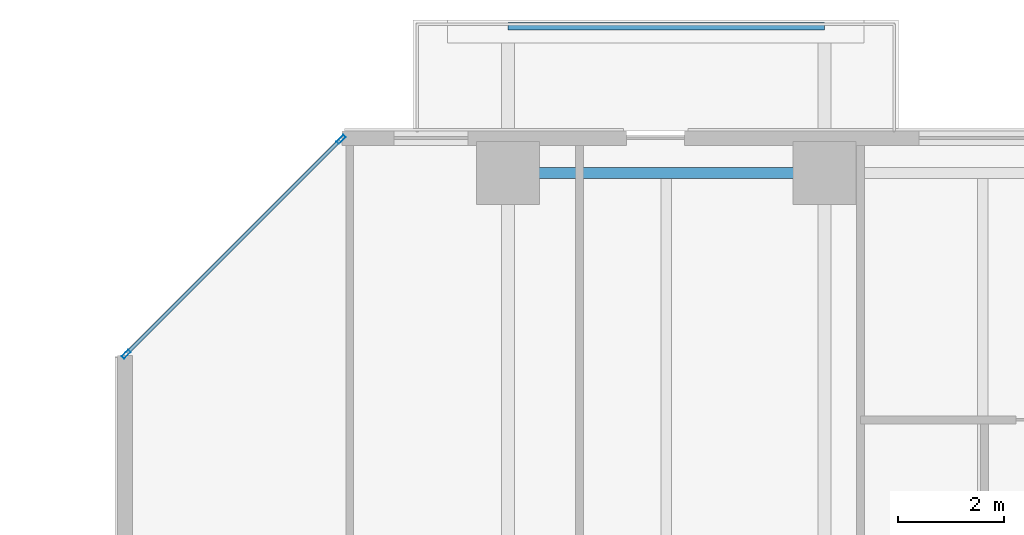
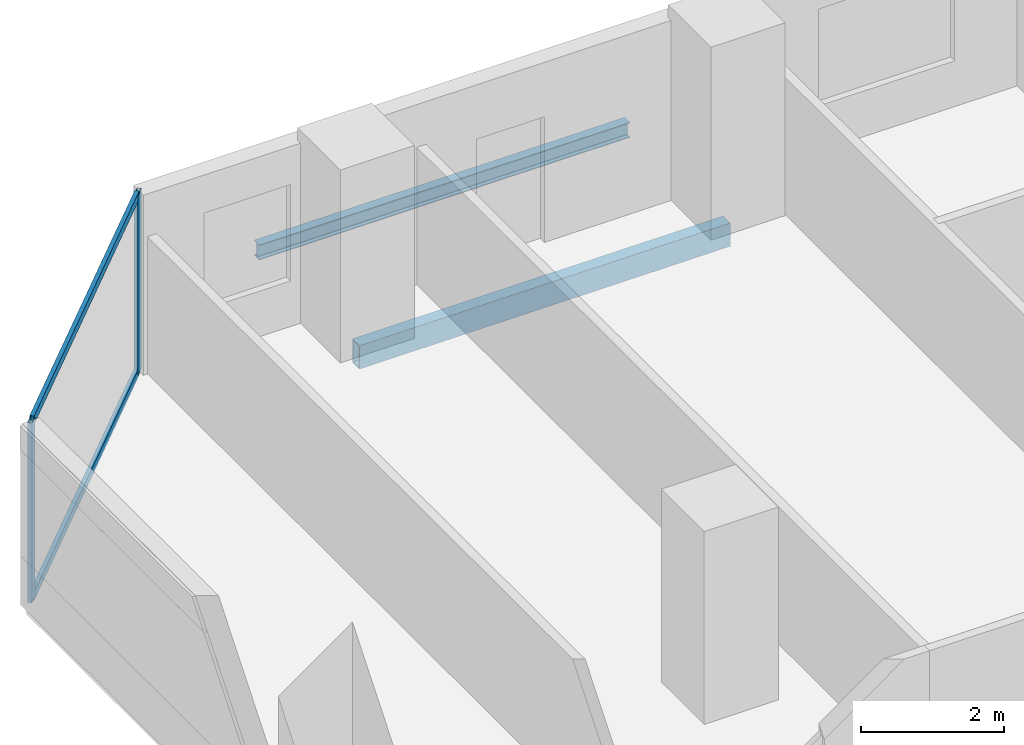
# One storey, part 8 of 33: 4 members, 2 beams, 1 element without a shape of its own.
"""IFC4 building model written with IfcOpenShell, lengths in metres."""

from ifc_helpers import new_model, si_unit, direction, frame, origin, origin_2d, place, context, subcontext, project, spatial, hollow_rectangle, i_section, extrude, material, layer, layer_set, material_profile, profile_set, type_object, element, aggregate, save


model = new_model("IFC4")

# Units and contexts
model_context = context("Model", 3, precision=1e-05, world=origin(), true_north=direction((0.0, 1.0)))
body_context = subcontext(model_context, "Body", "Model", "MODEL_VIEW")
ifc_project = project(units=[si_unit("LENGTHUNIT", "METRE"), si_unit("AREAUNIT", "SQUARE_METRE"), si_unit("VOLUMEUNIT", "CUBIC_METRE"), si_unit("PLANEANGLEUNIT", "RADIAN"), si_unit("MASSUNIT", "GRAM", prefix="KILO")], contexts=[model_context])

# Site, building, storey
site_placement = place(None, origin())
site = spatial("IfcSite", under=ifc_project, at=site_placement, CompositionType="ELEMENT")
building_placement = place(site_placement, origin())
building = spatial("IfcBuilding", under=site, at=building_placement, Name="Tanjung Sevakor Pilgrim Tower", CompositionType="ELEMENT")
storey_placement = place(building_placement, frame((0.0, 0.0, 32.340087890625)))
storey = spatial("IfcBuildingStorey", under=building, at=storey_placement, Name="L08", CompositionType="ELEMENT", Elevation=32.340087890625)

# Beams
ifc_material_1 = material(Name="Steel S355J2", Category="steel")
ifc_material_profile_1 = material_profile(ifc_material_1, i_section(OverallWidth=0.146484375, OverallDepth=0.256103515625, WebThickness=0.00634765625, FlangeThickness=0.010986328125, FilletRadius=0.007568359375, at=origin_2d()))
ifc_profile_set_1 = profile_set([ifc_material_profile_1], Name="Steel S355J2")
beam_type_1 = type_object("IfcBeamType", Name="BM-B-J6-UB_254x146x37", PredefinedType="JOIST", material=ifc_profile_set_1)
beam_1_placement = place(storey_placement, frame((24.0, 61.580078125, -0.328125), z_axis=(1.0, 0.0, 0.0), x_axis=(0.0, 1.0, 0.0)))
element("IfcBeam", 1, at=beam_1_placement, inside=storey, type_object=beam_type_1, Name="L08 Balcony Rim Tie MAIN-N1", PredefinedType="JOIST", context=body_context, shape_type="SweptSolid", body=[
    extrude(i_section(OverallWidth=0.146484375, OverallDepth=0.256103515625, WebThickness=0.00634765625, FlangeThickness=0.010986328125, FilletRadius=0.007568359375, at=origin_2d()), origin(), (0.0, 0.0, 1.0), 6.0),
])
ifc_material_2 = material(Name="Steel S355J2", Category="steel")
ifc_material_profile_2 = material_profile(ifc_material_2, hollow_rectangle(XDim=0.199951171875, YDim=0.39990234375, WallThickness=0.01611328125, at=origin_2d()))
ifc_profile_set_2 = profile_set([ifc_material_profile_2], Name="Steel S355J2")
beam_type_2 = type_object("IfcBeamType", Name="BM-B-SP2-RHS_400x200x16", PredefinedType="SPANDREL", material=ifc_profile_set_2)
beam_2_placement = place(storey_placement, frame((24.0, 58.800048828125, -0.420166015625), z_axis=(1.0, 0.0, 0.0), x_axis=(0.0, 1.0, 0.0)))
element("IfcBeam", 2, at=beam_2_placement, inside=storey, type_object=beam_type_2, Name="L08 Spandrel MAIN N-02", PredefinedType="SPANDREL", context=body_context, shape_type="SweptSolid", body=[
    extrude(hollow_rectangle(XDim=0.199951171875, YDim=0.39990234375, WallThickness=0.01611328125, at=origin_2d()), origin(), (0.0, 0.0, 1.0), 6.0),
])

# Curtain wall, members
ifc_material_3 = material(Name="Aluminium 6063-T6 and Low-E Glass", Category="aluminium")
ifc_layer = layer(ifc_material_3, 0.179931640625)
ifc_layer_set = layer_set([ifc_layer], Name="CW-SYS-CHAM")
curtain_wall_type = type_object("IfcCurtainWallType", Name="CW-SYS-CHAM", PredefinedType="NOTDEFINED", material=ifc_layer_set)
curtain_wall_placement = place(storey_placement, origin())
curtain_wall = element("IfcCurtainWall", 3, at=curtain_wall_placement, inside=storey, type_object=curtain_wall_type, Name="L08 Curtain Wall CW-CHM-L08-MAIN-13", PredefinedType="NOTDEFINED")
ifc_material_4 = material(Name="Aluminium 6063-T6", Category="aluminium")
ifc_material_profile_3 = material_profile(ifc_material_4, hollow_rectangle(XDim=0.06494140625, YDim=0.179931640625, WallThickness=0.00390625, at=origin_2d()))
ifc_profile_set_3 = profile_set([ifc_material_profile_3], Name="Aluminium 6063-T6")
member_type_1 = type_object("IfcMemberType", Name="TYPE-CWM-1", PredefinedType="MULLION", material=ifc_profile_set_3)
member_1_placement = place(storey_placement, frame((20.8349609375, 59.43701171875, 0.0), z_axis=(0.0, 0.0, 1.0), x_axis=(0.707106781187, -0.707106781187, 0.0)))
member_1 = element("IfcMember", 4, at=member_1_placement, type_object=member_type_1, Name="CW-CHM mullion 1", PredefinedType="MULLION", context=body_context, shape_type="SweptSolid", body=[
    extrude(hollow_rectangle(XDim=0.06494140625, YDim=0.179931640625, WallThickness=0.00390625, at=origin_2d()), origin(), (0.0, 0.0, 1.0), 3.079833984375),
])
member_2_placement = place(storey_placement, frame((16.762939453125, 55.364990234375, 0.0), z_axis=(0.0, 0.0, 1.0), x_axis=(0.707106781187, -0.707106781187, 0.0)))
member_2 = element("IfcMember", 5, at=member_2_placement, type_object=member_type_1, Name="CW-CHM mullion 2", PredefinedType="MULLION", context=body_context, shape_type="SweptSolid", body=[
    extrude(hollow_rectangle(XDim=0.06494140625, YDim=0.179931640625, WallThickness=0.00390625, at=origin_2d()), origin(), (0.0, 0.0, 1.0), 3.079833984375),
])
ifc_material_5 = material(Name="Aluminium 6063-T6", Category="aluminium")
ifc_material_profile_4 = material_profile(ifc_material_5, hollow_rectangle(XDim=0.06494140625, YDim=0.139892578125, WallThickness=0.00390625, at=origin_2d()))
ifc_profile_set_4 = profile_set([ifc_material_profile_4], Name="Aluminium 6063-T6")
member_type_2 = type_object("IfcMemberType", Name="TYPE-CWT-1", PredefinedType="USERDEFINED", material=ifc_profile_set_4)
member_3_placement = place(storey_placement, frame((20.81201171875, 59.4140625, 0.032470703125), z_axis=(-0.707106781187, -0.707106781187, 0.0), x_axis=(0.707106781187, -0.707106781187, 0.0)))
member_3 = element("IfcMember", 6, at=member_3_placement, type_object=member_type_2, Name="CW-CHM transom 1.1", ObjectType="TRANSOM", PredefinedType="USERDEFINED", context=body_context, shape_type="SweptSolid", body=[
    extrude(hollow_rectangle(XDim=0.06494140625, YDim=0.139892578125, WallThickness=0.00390625, at=origin_2d()), origin(), (0.0, 0.0, 1.0), 5.69384765625),
])
member_4_placement = place(storey_placement, frame((20.81201171875, 59.4140625, 3.04736328125), z_axis=(-0.707106781187, -0.707106781187, 0.0), x_axis=(0.707106781187, -0.707106781187, 0.0)))
member_4 = element("IfcMember", 7, at=member_4_placement, type_object=member_type_2, Name="CW-CHM transom 1.2", ObjectType="TRANSOM", PredefinedType="USERDEFINED", context=body_context, shape_type="SweptSolid", body=[
    extrude(hollow_rectangle(XDim=0.06494140625, YDim=0.139892578125, WallThickness=0.00390625, at=origin_2d()), origin(), (0.0, 0.0, 1.0), 5.69384765625),
])
aggregate(curtain_wall, [member_1, member_2, member_3, member_4])

save(model, "model.ifc")
